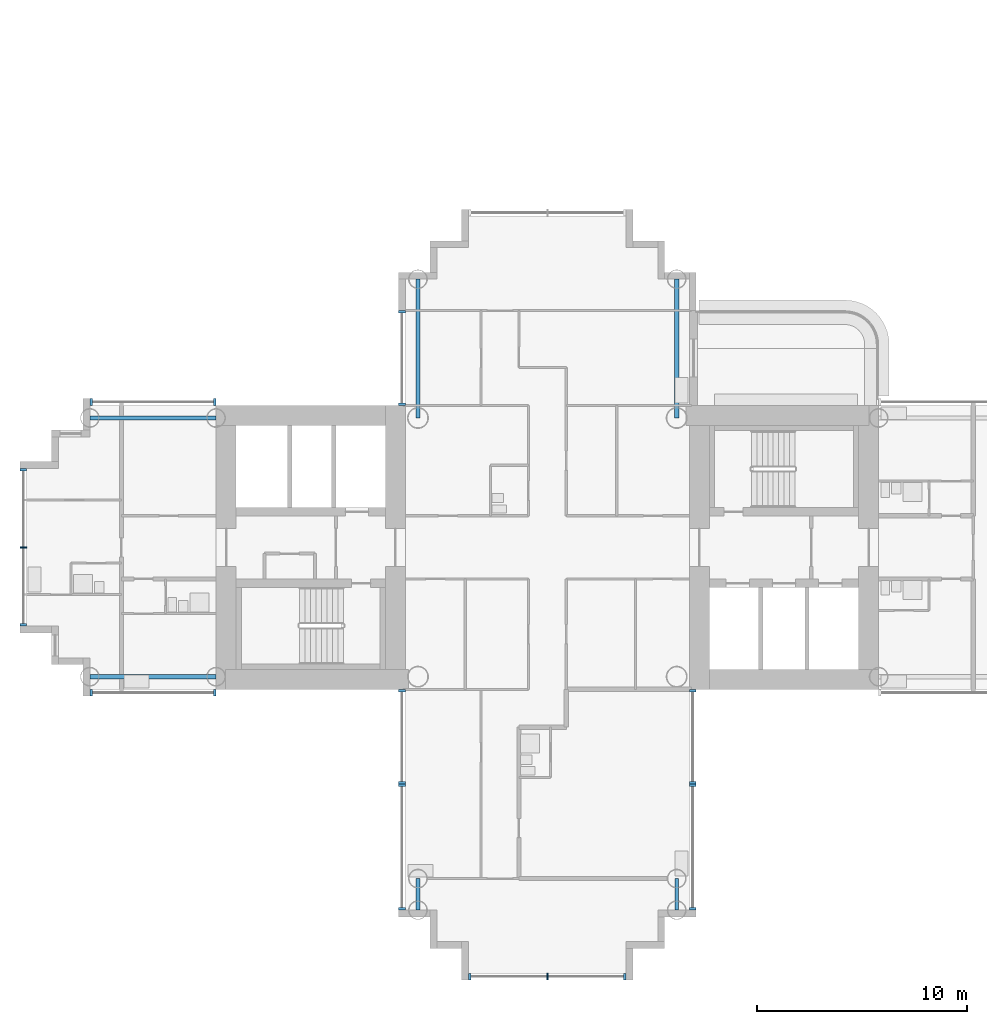
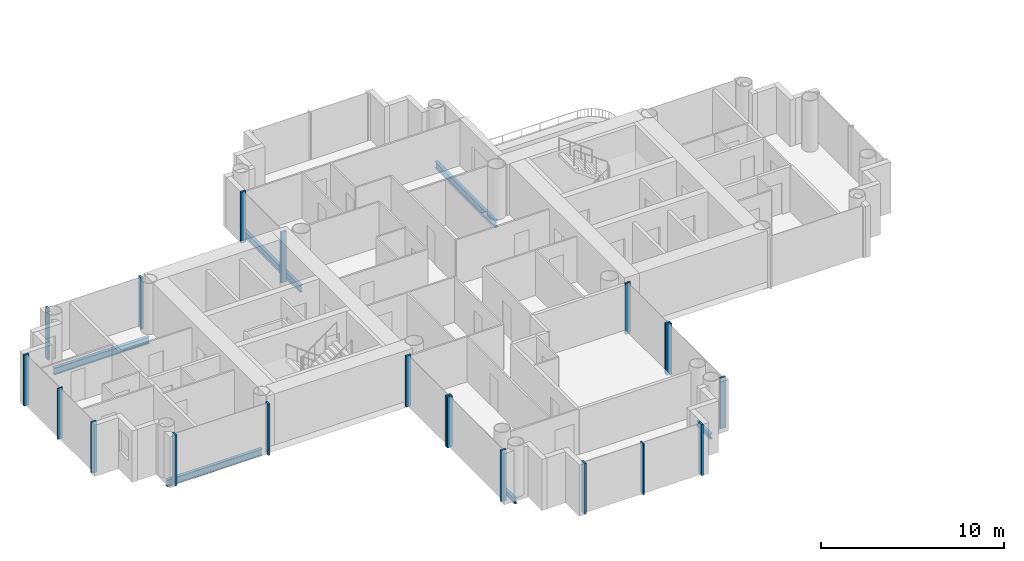
# One storey, part 3 of 22: 20 members, 6 beams, 9 elements without a shape of their own.
"""IFC4 building model written with IfcOpenShell, lengths in metres."""

from ifc_helpers import new_model, si_unit, direction, frame, origin, origin_2d, place, context, subcontext, project, spatial, rectangle, i_section, extrude, material, layer, layer_set, material_profile, profile_set, type_object, element, aggregate, save


model = new_model("IFC4")

# Units and contexts
model_context = context("Model", 3, precision=1e-05, world=origin(), true_north=direction((0.0, 1.0)))
body_context = subcontext(model_context, "Body", "Model", "MODEL_VIEW")
ifc_project = project(units=[si_unit("LENGTHUNIT", "METRE"), si_unit("AREAUNIT", "SQUARE_METRE"), si_unit("VOLUMEUNIT", "CUBIC_METRE"), si_unit("PLANEANGLEUNIT", "RADIAN"), si_unit("MASSUNIT", "GRAM", prefix="KILO")], contexts=[model_context])

# Site, building, storey
site_placement = place(None, origin())
site = spatial("IfcSite", under=ifc_project, at=site_placement, CompositionType="ELEMENT")
building_placement = place(site_placement, origin())
building = spatial("IfcBuilding", under=site, at=building_placement, Name="Ipe Terrace Towers", CompositionType="ELEMENT")
storey_placement = place(building_placement, frame((0.0, 0.0, 110.60009765625)))
storey = spatial("IfcBuildingStorey", under=building, at=storey_placement, Name="L30", CompositionType="ELEMENT", Elevation=110.60009765625)

# Beams
ifc_material_1 = material(Name="Steel S355", Category="steel")
ifc_material_profile_1 = material_profile(ifc_material_1, i_section(OverallWidth=0.175048828125, OverallDepth=0.35009765625, WebThickness=0.007080078125, FlangeThickness=0.010986328125, at=origin_2d()), Name="H-350x175x7x11")
ifc_profile_set_1 = profile_set([ifc_material_profile_1], Name="Steel S355")
beam_type_1 = type_object("IfcBeamType", Name="H04 EDGE BEAM H-350x175x7x11", PredefinedType="BEAM", material=ifc_profile_set_1)
for number, where, z_axis, x_axis, name in (
    (1, (-42.14990234375, -15.75, -0.5751953125), (0.0, -1.0, 0.0), (1.0, 0.0, 0.0), "Edge beam T1-EB-D03-D05"),
    (2, (-29.85009765625, -15.75, -0.5751953125), (0.0, -1.0, 0.0), (1.0, 0.0, 0.0), "Edge beam T1-EB-D04-D06"),
):
    element("IfcBeam", number, at=place(storey_placement, frame(where, z_axis=z_axis, x_axis=x_axis)), inside=storey, type_object=beam_type_1, Name=name, PredefinedType="BEAM", context=body_context, shape_type="SweptSolid", body=[
        extrude(i_section(OverallWidth=0.175048828125, OverallDepth=0.35009765625, WebThickness=0.007080078125, FlangeThickness=0.010986328125, at=origin_2d()), origin(), (0.0, 0.0, 1.0), 1.5),
    ])
ifc_material_2 = material(Name="Steel S355", Category="steel")
ifc_material_profile_2 = material_profile(ifc_material_2, i_section(OverallWidth=0.199951171875, OverallDepth=0.449951171875, WebThickness=0.009033203125, FlangeThickness=0.013916015625, at=origin_2d()), Name="H-450x200x9x14")
ifc_profile_set_2 = profile_set([ifc_material_profile_2], Name="Steel S355")
beam_type_2 = type_object("IfcBeamType", Name="H08 EDGE BEAM H-450x200x9x14", PredefinedType="BEAM", material=ifc_profile_set_2)
for number, where, z_axis, x_axis, name in (
    (3, (-29.85009765625, 12.75, -0.625), (0.0, -1.0, 0.0), (1.0, 0.0, 0.0), "Edge beam T1-EB-B01-E03"),
    (4, (-42.14990234375, 12.75, -0.625), (0.0, -1.0, 0.0), (1.0, 0.0, 0.0), "Edge beam T1-EB-B02-E04"),
):
    element("IfcBeam", number, at=place(storey_placement, frame(where, z_axis=z_axis, x_axis=x_axis)), inside=storey, type_object=beam_type_2, Name=name, PredefinedType="BEAM", context=body_context, shape_type="SweptSolid", body=[
        extrude(i_section(OverallWidth=0.199951171875, OverallDepth=0.449951171875, WebThickness=0.009033203125, FlangeThickness=0.013916015625, at=origin_2d()), origin(), (0.0, 0.0, 1.0), 6.60009765625),
    ])
for number, where, z_axis, x_axis, name in (
    (5, (-51.75, -6.14990234375, -0.625), (-1.0, 0.0, 0.0), (0.0, -1.0, 0.0), "Edge beam T1-EB-C01-C03"),
    (6, (-51.75, 6.14990234375, -0.625), (-1.0, 0.0, 0.0), (0.0, -1.0, 0.0), "Edge beam T1-EB-C02-C04"),
):
    element("IfcBeam", number, at=place(storey_placement, frame(where, z_axis=z_axis, x_axis=x_axis)), inside=storey, type_object=beam_type_2, Name=name, PredefinedType="BEAM", context=body_context, shape_type="SweptSolid", body=[
        extrude(i_section(OverallWidth=0.199951171875, OverallDepth=0.449951171875, WebThickness=0.009033203125, FlangeThickness=0.013916015625, at=origin_2d()), origin(), (0.0, 0.0, 1.0), 6.0),
    ])

# Curtain wall, members
ifc_material_3 = material(Name="Aluminium alloy 6063-T6", Category="aluminium")
ifc_layer = layer(ifc_material_3, 0.320068359375)
ifc_layer_set = layer_set([ifc_layer], Name="TOWER UNITISED CURTAIN WALL")
curtain_wall_type = type_object("IfcCurtainWallType", Name="TOWER UNITISED CURTAIN WALL", PredefinedType="NOTDEFINED", material=ifc_layer_set)
curtain_wall_1_placement = place(storey_placement, origin())
curtain_wall_1 = element("IfcCurtainWall", 7, at=curtain_wall_1_placement, inside=storey, type_object=curtain_wall_type, Name="T1-CW-L30-04a curtain wall", PredefinedType="NOTDEFINED")
ifc_material_4 = material(Name="Aluminium alloy 6063-T6", Category="aluminium")
ifc_material_profile_3 = material_profile(ifc_material_4, rectangle(XDim=0.320068359375, YDim=0.1201171875, at=origin_2d()), Name="TOWER UNITISED CORNER MULLION 320 x 120")
ifc_profile_set_3 = profile_set([ifc_material_profile_3], Name="Aluminium alloy 6063-T6")
member_type_1 = type_object("IfcMemberType", Name="TOWER UNITISED CORNER MULLION 320 x 120", PredefinedType="MULLION", material=ifc_profile_set_3)
member_1_placement = place(storey_placement, frame((-57.68994140625, -6.909912109375, -0.300048828125), z_axis=(0.0, 0.0, 1.0), x_axis=(0.0, -1.0, 0.0)))
member_1 = element("IfcMember", 8, at=member_1_placement, type_object=member_type_1, Name="T1-CW-L30-04a mullion 1", PredefinedType="MULLION", context=body_context, shape_type="SweptSolid", body=[
    extrude(rectangle(XDim=0.320068359375, YDim=0.1201171875, at=origin_2d()), origin(), (0.0, 0.0, 1.0), 3.39990234375),
])
member_2_placement = place(storey_placement, frame((-51.81103515625, -6.909912109375, -0.300048828125), z_axis=(0.0, 0.0, 1.0), x_axis=(0.0, -1.0, 0.0)))
member_2 = element("IfcMember", 9, at=member_2_placement, type_object=member_type_1, Name="T1-CW-L30-04a mullion 2", PredefinedType="MULLION", context=body_context, shape_type="SweptSolid", body=[
    extrude(rectangle(XDim=0.320068359375, YDim=0.1201171875, at=origin_2d()), origin(), (0.0, 0.0, 1.0), 3.39990234375),
])
aggregate(curtain_wall_1, [member_1, member_2])

curtain_wall_2_placement = place(storey_placement, origin())
curtain_wall_2 = element("IfcCurtainWall", 10, at=curtain_wall_2_placement, inside=storey, type_object=curtain_wall_type, Name="T1-CW-L30-06a curtain wall", PredefinedType="NOTDEFINED")
member_3_placement = place(storey_placement, frame((-42.909912109375, -6.81005859375, -0.300048828125), z_axis=(0.0, 0.0, 1.0), x_axis=(-1.0, 0.0, 0.0)))
member_3 = element("IfcMember", 11, at=member_3_placement, type_object=member_type_1, Name="T1-CW-L30-06a mullion 1", PredefinedType="MULLION", context=body_context, shape_type="SweptSolid", body=[
    extrude(rectangle(XDim=0.320068359375, YDim=0.1201171875, at=origin_2d()), origin(), (0.0, 0.0, 1.0), 3.39990234375),
])
member_4_placement = place(storey_placement, frame((-42.909912109375, -11.18994140625, -0.300048828125), z_axis=(0.0, 0.0, 1.0), x_axis=(-1.0, 0.0, 0.0)))
member_4 = element("IfcMember", 12, at=member_4_placement, type_object=member_type_1, Name="T1-CW-L30-06a mullion 2", PredefinedType="MULLION", context=body_context, shape_type="SweptSolid", body=[
    extrude(rectangle(XDim=0.320068359375, YDim=0.1201171875, at=origin_2d()), origin(), (0.0, 0.0, 1.0), 3.39990234375),
])
aggregate(curtain_wall_2, [member_3, member_4])

curtain_wall_3_placement = place(storey_placement, origin())
curtain_wall_3 = element("IfcCurtainWall", 13, at=curtain_wall_3_placement, inside=storey, type_object=curtain_wall_type, Name="T1-CW-L30-07a curtain wall", PredefinedType="NOTDEFINED")
member_5_placement = place(storey_placement, frame((-42.909912109375, -11.31005859375, -0.300048828125), z_axis=(0.0, 0.0, 1.0), x_axis=(-1.0, 0.0, 0.0)))
member_5 = element("IfcMember", 14, at=member_5_placement, type_object=member_type_1, Name="T1-CW-L30-07a mullion 1", PredefinedType="MULLION", context=body_context, shape_type="SweptSolid", body=[
    extrude(rectangle(XDim=0.320068359375, YDim=0.1201171875, at=origin_2d()), origin(), (0.0, 0.0, 1.0), 3.39990234375),
])
member_6_placement = place(storey_placement, frame((-42.909912109375, -17.18994140625, -0.300048828125), z_axis=(0.0, 0.0, 1.0), x_axis=(-1.0, 0.0, 0.0)))
member_6 = element("IfcMember", 15, at=member_6_placement, type_object=member_type_1, Name="T1-CW-L30-07a mullion 2", PredefinedType="MULLION", context=body_context, shape_type="SweptSolid", body=[
    extrude(rectangle(XDim=0.320068359375, YDim=0.1201171875, at=origin_2d()), origin(), (0.0, 0.0, 1.0), 3.39990234375),
])
aggregate(curtain_wall_3, [member_5, member_6])

curtain_wall_4_placement = place(storey_placement, origin())
curtain_wall_4 = element("IfcCurtainWall", 16, at=curtain_wall_4_placement, inside=storey, type_object=curtain_wall_type, Name="T1-CW-L30-12a curtain wall", PredefinedType="NOTDEFINED")
member_7_placement = place(storey_placement, frame((-39.68994140625, -20.409912109375, -0.300048828125), z_axis=(0.0, 0.0, 1.0), x_axis=(0.0, -1.0, 0.0)))
member_7 = element("IfcMember", 17, at=member_7_placement, type_object=member_type_1, Name="T1-CW-L30-12a mullion 1", PredefinedType="MULLION", context=body_context, shape_type="SweptSolid", body=[
    extrude(rectangle(XDim=0.320068359375, YDim=0.1201171875, at=origin_2d()), origin(), (0.0, 0.0, 1.0), 3.39990234375),
])
member_8_placement = place(storey_placement, frame((-32.31005859375, -20.409912109375, -0.300048828125), z_axis=(0.0, 0.0, 1.0), x_axis=(0.0, -1.0, 0.0)))
member_8 = element("IfcMember", 18, at=member_8_placement, type_object=member_type_1, Name="T1-CW-L30-12a mullion 3", PredefinedType="MULLION", context=body_context, shape_type="SweptSolid", body=[
    extrude(rectangle(XDim=0.320068359375, YDim=0.1201171875, at=origin_2d()), origin(), (0.0, 0.0, 1.0), 3.39990234375),
])

curtain_wall_5_placement = place(storey_placement, origin())
curtain_wall_5 = element("IfcCurtainWall", 19, at=curtain_wall_5_placement, inside=storey, type_object=curtain_wall_type, Name="T1-CW-L30-17a curtain wall", PredefinedType="NOTDEFINED")
member_9_placement = place(storey_placement, frame((-29.090087890625, -17.18994140625, -0.300048828125), z_axis=(0.0, 0.0, 1.0), x_axis=(1.0, 0.0, 0.0)))
member_9 = element("IfcMember", 20, at=member_9_placement, type_object=member_type_1, Name="T1-CW-L30-17a mullion 1", PredefinedType="MULLION", context=body_context, shape_type="SweptSolid", body=[
    extrude(rectangle(XDim=0.320068359375, YDim=0.1201171875, at=origin_2d()), origin(), (0.0, 0.0, 1.0), 3.39990234375),
])
member_10_placement = place(storey_placement, frame((-29.090087890625, -11.31005859375, -0.300048828125), z_axis=(0.0, 0.0, 1.0), x_axis=(1.0, 0.0, 0.0)))
member_10 = element("IfcMember", 21, at=member_10_placement, type_object=member_type_1, Name="T1-CW-L30-17a mullion 2", PredefinedType="MULLION", context=body_context, shape_type="SweptSolid", body=[
    extrude(rectangle(XDim=0.320068359375, YDim=0.1201171875, at=origin_2d()), origin(), (0.0, 0.0, 1.0), 3.39990234375),
])
aggregate(curtain_wall_5, [member_9, member_10])

curtain_wall_6_placement = place(storey_placement, origin())
curtain_wall_6 = element("IfcCurtainWall", 22, at=curtain_wall_6_placement, inside=storey, type_object=curtain_wall_type, Name="T1-CW-L30-18a curtain wall", PredefinedType="NOTDEFINED")
member_11_placement = place(storey_placement, frame((-29.090087890625, -11.18994140625, -0.300048828125), z_axis=(0.0, 0.0, 1.0), x_axis=(1.0, 0.0, 0.0)))
member_11 = element("IfcMember", 23, at=member_11_placement, type_object=member_type_1, Name="T1-CW-L30-18a mullion 1", PredefinedType="MULLION", context=body_context, shape_type="SweptSolid", body=[
    extrude(rectangle(XDim=0.320068359375, YDim=0.1201171875, at=origin_2d()), origin(), (0.0, 0.0, 1.0), 3.39990234375),
])
member_12_placement = place(storey_placement, frame((-29.090087890625, -6.81005859375, -0.300048828125), z_axis=(0.0, 0.0, 1.0), x_axis=(1.0, 0.0, 0.0)))
member_12 = element("IfcMember", 24, at=member_12_placement, type_object=member_type_1, Name="T1-CW-L30-18a mullion 2", PredefinedType="MULLION", context=body_context, shape_type="SweptSolid", body=[
    extrude(rectangle(XDim=0.320068359375, YDim=0.1201171875, at=origin_2d()), origin(), (0.0, 0.0, 1.0), 3.39990234375),
])
aggregate(curtain_wall_6, [member_11, member_12])

curtain_wall_7_placement = place(storey_placement, origin())
curtain_wall_7 = element("IfcCurtainWall", 25, at=curtain_wall_7_placement, inside=storey, type_object=curtain_wall_type, Name="T1-CW-L30-44a curtain wall", PredefinedType="NOTDEFINED")
member_13_placement = place(storey_placement, frame((-42.909912109375, 11.18994140625, -0.300048828125), z_axis=(0.0, 0.0, 1.0), x_axis=(-1.0, 0.0, 0.0)))
member_13 = element("IfcMember", 26, at=member_13_placement, type_object=member_type_1, Name="T1-CW-L30-44a mullion 1", PredefinedType="MULLION", context=body_context, shape_type="SweptSolid", body=[
    extrude(rectangle(XDim=0.320068359375, YDim=0.1201171875, at=origin_2d()), origin(), (0.0, 0.0, 1.0), 3.39990234375),
])
member_14_placement = place(storey_placement, frame((-42.909912109375, 6.81005859375, -0.300048828125), z_axis=(0.0, 0.0, 1.0), x_axis=(-1.0, 0.0, 0.0)))
member_14 = element("IfcMember", 27, at=member_14_placement, type_object=member_type_1, Name="T1-CW-L30-44a mullion 2", PredefinedType="MULLION", context=body_context, shape_type="SweptSolid", body=[
    extrude(rectangle(XDim=0.320068359375, YDim=0.1201171875, at=origin_2d()), origin(), (0.0, 0.0, 1.0), 3.39990234375),
])
aggregate(curtain_wall_7, [member_13, member_14])

curtain_wall_8_placement = place(storey_placement, origin())
curtain_wall_8 = element("IfcCurtainWall", 28, at=curtain_wall_8_placement, inside=storey, type_object=curtain_wall_type, Name="T1-CW-L30-46b curtain wall", PredefinedType="NOTDEFINED")
member_15_placement = place(storey_placement, frame((-51.81103515625, 6.909912109375, -0.300048828125), z_axis=(0.0, 0.0, 1.0), x_axis=(0.0, 1.0, 0.0)))
member_15 = element("IfcMember", 29, at=member_15_placement, type_object=member_type_1, Name="T1-CW-L30-46b mullion 1", PredefinedType="MULLION", context=body_context, shape_type="SweptSolid", body=[
    extrude(rectangle(XDim=0.320068359375, YDim=0.1201171875, at=origin_2d()), origin(), (0.0, 0.0, 1.0), 3.39990234375),
])
member_16_placement = place(storey_placement, frame((-57.68994140625, 6.909912109375, -0.300048828125), z_axis=(0.0, 0.0, 1.0), x_axis=(0.0, 1.0, 0.0)))
member_16 = element("IfcMember", 30, at=member_16_placement, type_object=member_type_1, Name="T1-CW-L30-46b mullion 2", PredefinedType="MULLION", context=body_context, shape_type="SweptSolid", body=[
    extrude(rectangle(XDim=0.320068359375, YDim=0.1201171875, at=origin_2d()), origin(), (0.0, 0.0, 1.0), 3.39990234375),
])
aggregate(curtain_wall_8, [member_15, member_16])

curtain_wall_9_placement = place(storey_placement, origin())
curtain_wall_9 = element("IfcCurtainWall", 31, at=curtain_wall_9_placement, inside=storey, type_object=curtain_wall_type, Name="T1-CW-L30-51a curtain wall", PredefinedType="NOTDEFINED")
member_17_placement = place(storey_placement, frame((-60.909912109375, 3.68994140625, -0.300048828125), z_axis=(0.0, 0.0, 1.0), x_axis=(-1.0, 0.0, 0.0)))
member_17 = element("IfcMember", 32, at=member_17_placement, type_object=member_type_1, Name="T1-CW-L30-51a mullion 1", PredefinedType="MULLION", context=body_context, shape_type="SweptSolid", body=[
    extrude(rectangle(XDim=0.320068359375, YDim=0.1201171875, at=origin_2d()), origin(), (0.0, 0.0, 1.0), 3.39990234375),
])
member_18_placement = place(storey_placement, frame((-60.909912109375, -3.68994140625, -0.300048828125), z_axis=(0.0, 0.0, 1.0), x_axis=(-1.0, 0.0, 0.0)))
member_18 = element("IfcMember", 33, at=member_18_placement, type_object=member_type_1, Name="T1-CW-L30-51a mullion 3", PredefinedType="MULLION", context=body_context, shape_type="SweptSolid", body=[
    extrude(rectangle(XDim=0.320068359375, YDim=0.1201171875, at=origin_2d()), origin(), (0.0, 0.0, 1.0), 3.39990234375),
])

# Member
ifc_material_5 = material(Name="Aluminium alloy 6063-T6", Category="aluminium")
ifc_material_profile_4 = material_profile(ifc_material_5, rectangle(XDim=0.320068359375, YDim=0.06494140625, at=origin_2d()), Name="TOWER UNITISED MULLION 320 x 65")
ifc_profile_set_4 = profile_set([ifc_material_profile_4], Name="Aluminium alloy 6063-T6")
member_type_2 = type_object("IfcMemberType", Name="TOWER UNITISED MULLION 320 x 65", PredefinedType="MULLION", material=ifc_profile_set_4)
member_19_placement = place(storey_placement, frame((-36.0, -20.409912109375, -0.300048828125), z_axis=(0.0, 0.0, 1.0), x_axis=(0.0, -1.0, 0.0)))
member_19 = element("IfcMember", 34, at=member_19_placement, type_object=member_type_2, Name="T1-CW-L30-12a mullion 2", PredefinedType="MULLION", context=body_context, shape_type="SweptSolid", body=[
    extrude(rectangle(XDim=0.320068359375, YDim=0.06494140625, at=origin_2d()), origin(), (0.0, 0.0, 1.0), 3.39990234375),
])

aggregate(curtain_wall_4, [member_7, member_19, member_8])

member_20_placement = place(storey_placement, frame((-60.909912109375, 0.0, -0.300048828125), z_axis=(0.0, 0.0, 1.0), x_axis=(-1.0, 0.0, 0.0)))
member_20 = element("IfcMember", 35, at=member_20_placement, type_object=member_type_2, Name="T1-CW-L30-51a mullion 2", PredefinedType="MULLION", context=body_context, shape_type="SweptSolid", body=[
    extrude(rectangle(XDim=0.320068359375, YDim=0.06494140625, at=origin_2d()), origin(), (0.0, 0.0, 1.0), 3.39990234375),
])

aggregate(curtain_wall_9, [member_17, member_20, member_18])

save(model, "model.ifc")
